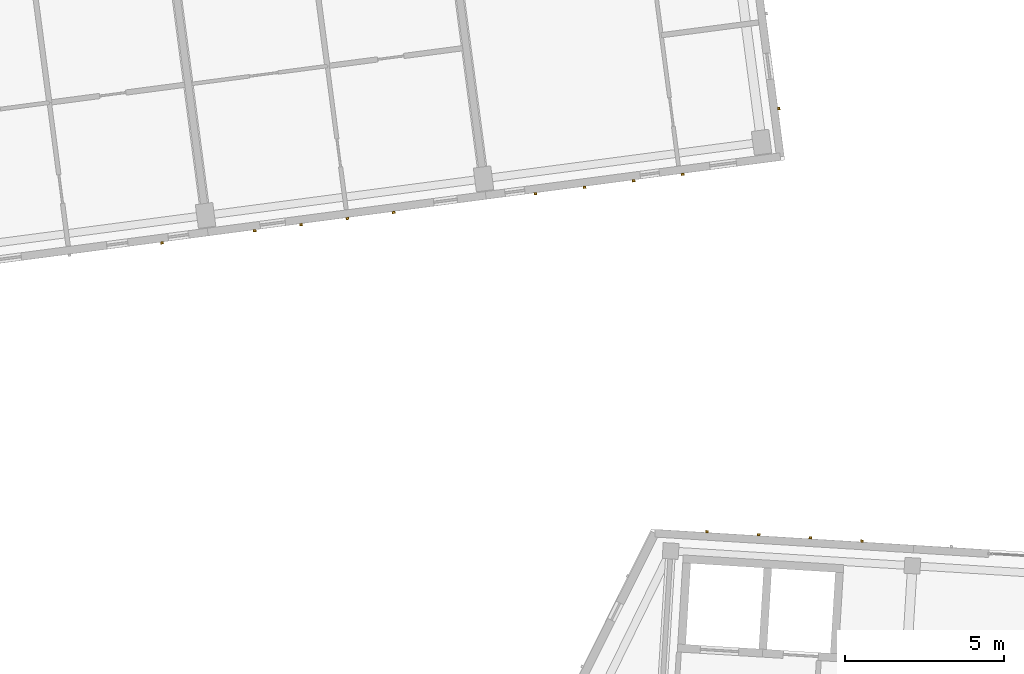
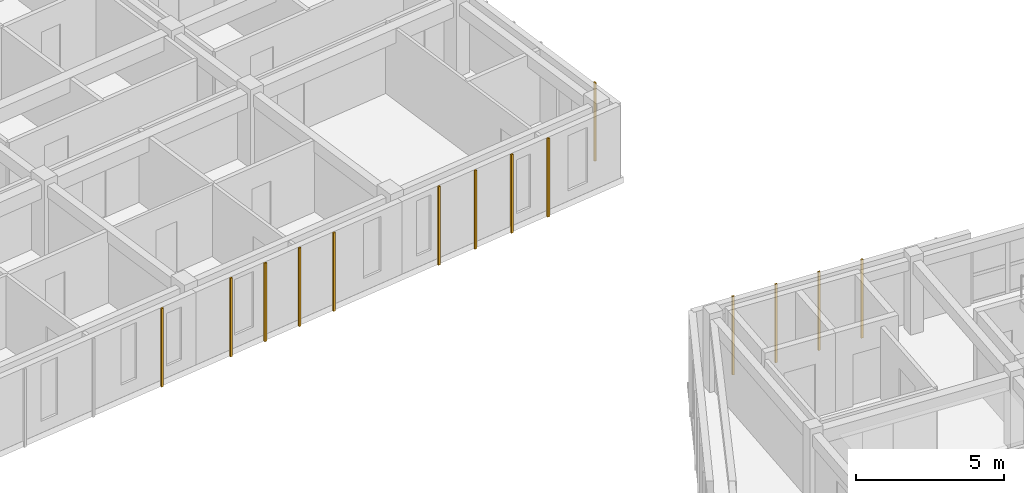
# One storey, part 46 of 66: 14 coverings.
"""IFC4 building model written with IfcOpenShell, lengths in metres."""

from ifc_helpers import new_model, si_unit, direction, frame, origin, origin_2d, place, context, subcontext, project, spatial, rectangle, extrude, material, layer, layer_set, type_object, element, save


model = new_model("IFC4")

# Units and contexts
model_context = context("Model", 3, precision=1e-05, world=origin(), true_north=direction((0.0, 1.0)))
body_context = subcontext(model_context, "Body", "Model", "MODEL_VIEW")
ifc_project = project(units=[si_unit("LENGTHUNIT", "METRE"), si_unit("AREAUNIT", "SQUARE_METRE"), si_unit("VOLUMEUNIT", "CUBIC_METRE"), si_unit("PLANEANGLEUNIT", "RADIAN"), si_unit("MASSUNIT", "GRAM", prefix="KILO")], contexts=[model_context])

# Site, building, storey
site_placement = place(None, origin())
site = spatial("IfcSite", under=ifc_project, at=site_placement, CompositionType="ELEMENT")
building_placement = place(site_placement, origin())
building = spatial("IfcBuilding", under=site, at=building_placement, Name="Kestramere Prow Commons", CompositionType="ELEMENT")
storey_placement = place(building_placement, frame((0.0, 0.0, 14.89990234375)))
storey = spatial("IfcBuildingStorey", under=building, at=storey_placement, Name="L04", CompositionType="ELEMENT", Elevation=14.89990234375)

# Coverings
ifc_material = material(Name="Weathered Zinc-Titanium Standing-Seam Cladding")
ifc_layer = layer(ifc_material, 0.074951171875)
ifc_layer_set = layer_set([ifc_layer], Name="Weathered Zinc-Titanium Standing-Seam Cladding")
covering_type = type_object("IfcCoveringType", Name="COV-CLAD-SEAM", PredefinedType="CLADDING", material=ifc_layer_set)
for number, where, z_axis, x_axis, name in (
    (1, (44.733154296875, 75.7314453125, -0.25), (0.0, 0.0, 1.0), (-0.991444861374, -0.13052619222, 0.0), "EW-A-L04-S-3 Standing-Seam Rib 1"),
    (2, (52.003662109375, 76.6884765625, -0.25), (0.0, 0.0, 1.0), (-0.991444861374, -0.13052619222, 0.0), "EW-A-L04-S-4 Standing-Seam Rib 2"),
    (3, (50.549560546875, 76.4970703125, -0.25), (0.0, 0.0, 1.0), (-0.991444861374, -0.13052619222, 0.0), "EW-A-L04-S-4 Standing-Seam Rib 3"),
    (4, (49.095458984375, 76.3056640625, -0.25), (0.0, 0.0, 1.0), (-0.991444861374, -0.13052619222, 0.0), "EW-A-L04-S-4 Standing-Seam Rib 4"),
    (5, (47.641357421875, 76.1142578125, -0.25), (0.0, 0.0, 1.0), (-0.991444861374, -0.13052619222, 0.0), "EW-A-L04-S-4 Standing-Seam Rib 5"),
    (6, (61.075439453125, 77.8828125, -0.25), (0.0, 0.0, 1.0), (-0.991444861374, -0.13052619222, 0.0), "EW-A-L04-S-5 Standing-Seam Rib 2"),
    (7, (59.53466796875, 77.679931640625, -0.25), (0.0, 0.0, 1.0), (-0.991444861374, -0.13052619222, 0.0), "EW-A-L04-S-5 Standing-Seam Rib 3"),
    (8, (57.99365234375, 77.47705078125, -0.25), (0.0, 0.0, 1.0), (-0.991444861374, -0.13052619222, 0.0), "EW-A-L04-S-5 Standing-Seam Rib 4"),
    (9, (56.452880859375, 77.2744140625, -0.25), (0.0, 0.0, 1.0), (-0.991444861374, -0.13052619222, 0.0), "EW-A-L04-S-5 Standing-Seam Rib 5"),
    (10, (64.09228515625, 79.950439453125, -0.25), (0.0, 0.0, 1.0), (0.13052619222, -0.991444861374, 0.0), "EW-A-L04-EAV Standing-Seam Rib 13"),
    (11, (61.8359375, 66.672607421875, -0.25), (0.0, 0.0, 1.0), (0.998134798422, -0.061048539535, 0.0), "EW-C-L04-N-0 Standing-Seam Rib 1"),
    (12, (63.457763671875, 66.5732421875, -0.25), (0.0, 0.0, 1.0), (0.998134798422, -0.061048539535, 0.0), "EW-C-L04-N-0 Standing-Seam Rib 2"),
    (13, (65.079833984375, 66.47412109375, -0.25), (0.0, 0.0, 1.0), (0.998134798422, -0.061048539535, 0.0), "EW-C-L04-N-0 Standing-Seam Rib 3"),
    (14, (66.70166015625, 66.375, -0.25), (0.0, 0.0, 1.0), (0.998134798422, -0.061048539535, 0.0), "EW-C-L04-N-0 Standing-Seam Rib 4"),
):
    element("IfcCovering", number, at=place(storey_placement, frame(where, z_axis=z_axis, x_axis=x_axis)), inside=storey, type_object=covering_type, Name=name, PredefinedType="CLADDING", context=body_context, shape_type="SweptSolid", body=[
        extrude(rectangle(XDim=0.0849609375, YDim=0.06494140625, at=origin_2d()), origin(), (0.0, 0.0, 1.0), 3.25),
    ])

save(model, "model.ifc")
